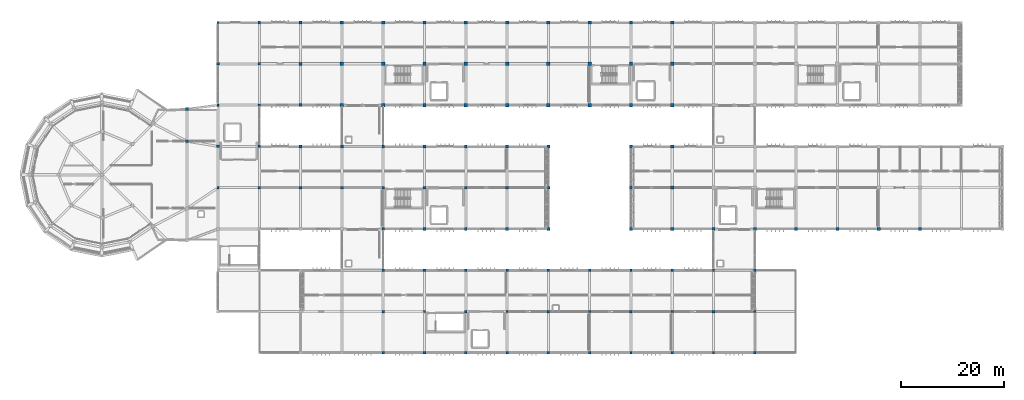
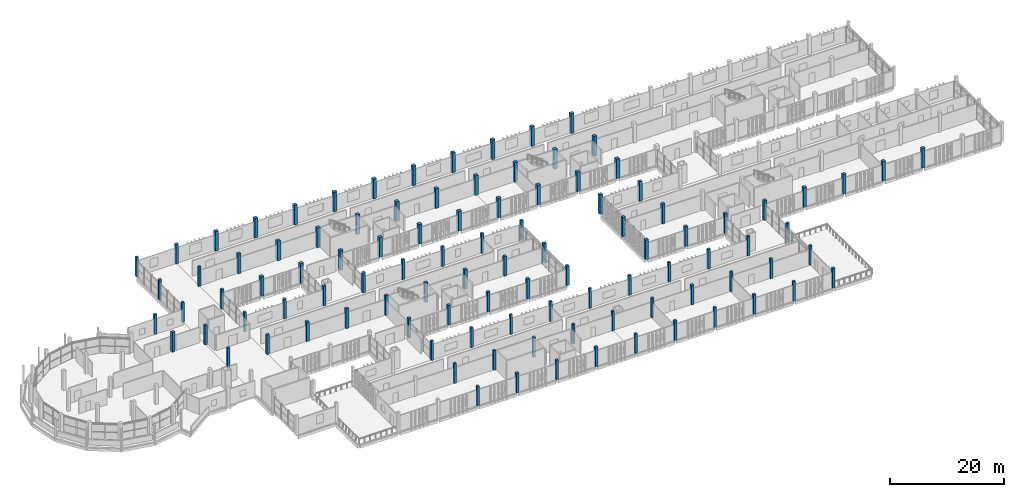
# One storey, part 4 of 63: 103 columns.
"""IFC4 building model written with IfcOpenShell, lengths in metres."""

from ifc_helpers import new_model, si_unit, direction, frame, origin, origin_2d, place, context, subcontext, project, spatial, rectangle, extrude, material, material_profile, profile_set, type_object, element, save


model = new_model("IFC4")

# Units and contexts
model_context = context("Model", 3, precision=1e-05, world=origin(), true_north=direction((0.0, 1.0)))
body_context = subcontext(model_context, "Body", "Model", "MODEL_VIEW")
ifc_project = project(units=[si_unit("LENGTHUNIT", "METRE"), si_unit("AREAUNIT", "SQUARE_METRE"), si_unit("VOLUMEUNIT", "CUBIC_METRE"), si_unit("PLANEANGLEUNIT", "RADIAN"), si_unit("MASSUNIT", "GRAM", prefix="KILO")], contexts=[model_context])

# Site, building, storey
site_placement = place(None, origin())
site = spatial("IfcSite", under=ifc_project, at=site_placement, CompositionType="ELEMENT")
building_placement = place(site_placement, origin())
building = spatial("IfcBuilding", under=site, at=building_placement, Name="Jelvoka-Kovrelna Polytechnic", CompositionType="ELEMENT")
storey_placement = place(building_placement, frame((0.0, 0.0, 18.0)))
storey = spatial("IfcBuildingStorey", under=building, at=storey_placement, Name="L05", CompositionType="ELEMENT", Elevation=18.0)

# Columns
ifc_material_1 = material(Name="Concrete C40/50", Category="concrete")
ifc_material_profile_1 = material_profile(ifc_material_1, rectangle(XDim=0.449951171875, YDim=0.449951171875, at=origin_2d()), Name="RC 450x450")
ifc_profile_set_1 = profile_set([ifc_material_profile_1], Name="Concrete C40/50")
column_type_1 = type_object("IfcColumnType", Name="Col_RC_450", PredefinedType="COLUMN", material=ifc_profile_set_1)
for number, where, z_axis, x_axis, name in (
    (1, (80.0, 8.0, 0.0), (0.0, 0.0, 1.0), (1.0, 0.0, 0.0), "L05 column 0114"),
    (2, (96.0, 8.0, 0.0), (0.0, 0.0, 1.0), (1.0, 0.0, 0.0), "L05 column 0126"),
    (3, (112.0, 8.0, 0.0), (0.0, 0.0, 1.0), (1.0, 0.0, 0.0), "L05 column 0138"),
    (4, (128.0, 8.0, 0.0), (0.0, 0.0, 1.0), (1.0, 0.0, 0.0), "L05 column 0150"),
    (5, (144.0, 8.0, 0.0), (0.0, 0.0, 1.0), (1.0, 0.0, 0.0), "L05 column 0162"),
    (6, (88.0, 16.0, 0.0), (0.0, 0.0, 1.0), (1.0, 0.0, 0.0), "L05 column 0221"),
    (7, (104.0, 16.0, 0.0), (0.0, 0.0, 1.0), (1.0, 0.0, 0.0), "L05 column 0233"),
    (8, (120.0, 16.0, 0.0), (0.0, 0.0, 1.0), (1.0, 0.0, 0.0), "L05 column 0245"),
    (9, (136.0, 16.0, 0.0), (0.0, 0.0, 1.0), (1.0, 0.0, 0.0), "L05 column 0257"),
    (10, (152.0, 16.0, 0.0), (0.0, 0.0, 1.0), (1.0, 0.0, 0.0), "L05 column 0269"),
    (11, (80.0, 24.0, 0.0), (0.0, 0.0, 1.0), (1.0, 0.0, 0.0), "L05 column 0340"),
    (12, (96.0, 24.0, 0.0), (0.0, 0.0, 1.0), (1.0, 0.0, 0.0), "L05 column 0352"),
    (13, (112.0, 24.0, 0.0), (0.0, 0.0, 1.0), (1.0, 0.0, 0.0), "L05 column 0364"),
    (14, (128.0, 24.0, 0.0), (0.0, 0.0, 1.0), (1.0, 0.0, 0.0), "L05 column 0376"),
    (15, (144.0, 24.0, 0.0), (0.0, 0.0, 1.0), (1.0, 0.0, 0.0), "L05 column 0388"),
    (16, (48.0, 40.0, 0.0), (0.0, 0.0, 1.0), (1.0, 0.0, 0.0), "L05 column 0619"),
    (17, (56.0, 48.0, 0.0), (0.0, 0.0, 1.0), (1.0, 0.0, 0.0), "L05 column 0789"),
    (18, (48.0, 56.0, 0.0), (0.0, 0.0, 1.0), (1.0, 0.0, 0.0), "L05 column 0977"),
    (19, (56.0, 64.0, 0.0), (0.0, 0.0, 1.0), (1.0, 0.0, 0.0), "L05 column 1150"),
    (20, (48.0, 72.0, 0.0), (0.0, 0.0, 1.0), (1.0, 0.0, 0.0), "L05 column 1305"),
):
    element("IfcColumn", number, at=place(storey_placement, frame(where, z_axis=z_axis, x_axis=x_axis)), inside=storey, type_object=column_type_1, Name=name, PredefinedType="COLUMN", context=body_context, shape_type="SweptSolid", body=[
        extrude(rectangle(XDim=0.449951171875, YDim=0.449951171875, at=origin_2d()), origin(), (0.0, 0.0, 1.0), 4.199951171875),
    ])
ifc_material_2 = material(Name="Concrete C40/50", Category="concrete")
ifc_material_profile_2 = material_profile(ifc_material_2, rectangle(XDim=0.5, YDim=0.5, at=origin_2d()), Name="RC 500x500")
ifc_profile_set_2 = profile_set([ifc_material_profile_2], Name="Concrete C40/50")
column_type_2 = type_object("IfcColumnType", Name="Col_RC_500", PredefinedType="COLUMN", material=ifc_profile_set_2)
for number, where, z_axis, x_axis, name in (
    (21, (88.0, 8.0, 0.0), (0.0, 0.0, 1.0), (1.0, 0.0, 0.0), "L05 column 0120"),
    (22, (104.0, 8.0, 0.0), (0.0, 0.0, 1.0), (1.0, 0.0, 0.0), "L05 column 0132"),
    (23, (120.0, 8.0, 0.0), (0.0, 0.0, 1.0), (1.0, 0.0, 0.0), "L05 column 0144"),
    (24, (136.0, 8.0, 0.0), (0.0, 0.0, 1.0), (1.0, 0.0, 0.0), "L05 column 0156"),
    (25, (152.0, 8.0, 0.0), (0.0, 0.0, 1.0), (1.0, 0.0, 0.0), "L05 column 0168"),
    (26, (80.0, 16.0, 0.0), (0.0, 0.0, 1.0), (1.0, 0.0, 0.0), "L05 column 0215"),
    (27, (96.0, 16.0, 0.0), (0.0, 0.0, 1.0), (1.0, 0.0, 0.0), "L05 column 0227"),
    (28, (112.0, 16.0, 0.0), (0.0, 0.0, 1.0), (1.0, 0.0, 0.0), "L05 column 0239"),
    (29, (128.0, 16.0, 0.0), (0.0, 0.0, 1.0), (1.0, 0.0, 0.0), "L05 column 0251"),
    (30, (144.0, 16.0, 0.0), (0.0, 0.0, 1.0), (1.0, 0.0, 0.0), "L05 column 0263"),
    (31, (88.0, 24.0, 0.0), (0.0, 0.0, 1.0), (1.0, 0.0, 0.0), "L05 column 0346"),
    (32, (104.0, 24.0, 0.0), (0.0, 0.0, 1.0), (1.0, 0.0, 0.0), "L05 column 0358"),
    (33, (120.0, 24.0, 0.0), (0.0, 0.0, 1.0), (1.0, 0.0, 0.0), "L05 column 0370"),
    (34, (136.0, 24.0, 0.0), (0.0, 0.0, 1.0), (1.0, 0.0, 0.0), "L05 column 0382"),
    (35, (152.0, 24.0, 0.0), (0.0, 0.0, 1.0), (1.0, 0.0, 0.0), "L05 column 0394"),
    (36, (56.0, 40.0, 0.0), (0.0, 0.0, 1.0), (1.0, 0.0, 0.0), "L05 column 0625"),
    (37, (48.0, 48.0, 0.0), (0.0, 0.0, 1.0), (1.0, 0.0, 0.0), "L05 column 0783"),
    (38, (56.0, 56.0, 0.0), (0.0, 0.0, 1.0), (1.0, 0.0, 0.0), "L05 column 0983"),
    (39, (48.0, 64.0, 0.0), (0.0, 0.0, 1.0), (1.0, 0.0, 0.0), "L05 column 1144"),
    (40, (56.0, 72.0, 0.0), (0.0, 0.0, 1.0), (1.0, 0.0, 0.0), "L05 column 1311"),
):
    element("IfcColumn", number, at=place(storey_placement, frame(where, z_axis=z_axis, x_axis=x_axis)), inside=storey, type_object=column_type_2, Name=name, PredefinedType="COLUMN", context=body_context, shape_type="SweptSolid", body=[
        extrude(rectangle(XDim=0.5, YDim=0.5, at=origin_2d()), origin(), (0.0, 0.0, 1.0), 4.199951171875),
    ])
ifc_material_3 = material(Name="Concrete C40/50", Category="concrete")
ifc_material_profile_3 = material_profile(ifc_material_3, rectangle(XDim=0.550048828125, YDim=0.550048828125, at=origin_2d()), Name="RC 550x550")
ifc_profile_set_3 = profile_set([ifc_material_profile_3], Name="Concrete C40/50")
column_type_3 = type_object("IfcColumnType", Name="Col_RC_550", PredefinedType="COLUMN", material=ifc_profile_set_3)
for number, where, z_axis, x_axis, name in (
    (41, (80.0, 32.0, 0.0), (0.0, 0.0, 1.0), (1.0, 0.0, 0.0), "L05 column 0463"),
    (42, (88.0, 32.0, 0.0), (0.0, 0.0, 1.0), (1.0, 0.0, 0.0), "L05 column 0470"),
    (43, (96.0, 32.0, 0.0), (0.0, 0.0, 1.0), (1.0, 0.0, 0.0), "L05 column 0477"),
    (44, (104.0, 32.0, 0.0), (0.0, 0.0, 1.0), (1.0, 0.0, 0.0), "L05 column 0484"),
    (45, (112.0, 32.0, 0.0), (0.0, 0.0, 1.0), (1.0, 0.0, 0.0), "L05 column 0491"),
    (46, (64.0, 40.0, 0.0), (0.0, 0.0, 1.0), (1.0, 0.0, 0.0), "L05 column 0631"),
    (47, (72.0, 40.0, 0.0), (0.0, 0.0, 1.0), (1.0, 0.0, 0.0), "L05 column 0638"),
    (48, (80.0, 40.0, 0.0), (0.0, 0.0, 1.0), (1.0, 0.0, 0.0), "L05 column 0645"),
    (49, (88.0, 40.0, 0.0), (0.0, 0.0, 1.0), (1.0, 0.0, 0.0), "L05 column 0652"),
    (50, (96.0, 40.0, 0.0), (0.0, 0.0, 1.0), (1.0, 0.0, 0.0), "L05 column 0659"),
    (51, (104.0, 40.0, 0.0), (0.0, 0.0, 1.0), (1.0, 0.0, 0.0), "L05 column 0666"),
    (52, (112.0, 40.0, 0.0), (0.0, 0.0, 1.0), (1.0, 0.0, 0.0), "L05 column 0673"),
    (53, (64.0, 48.0, 0.0), (0.0, 0.0, 1.0), (1.0, 0.0, 0.0), "L05 column 0795"),
    (54, (72.0, 48.0, 0.0), (0.0, 0.0, 1.0), (1.0, 0.0, 0.0), "L05 column 0802"),
    (55, (80.0, 48.0, 0.0), (0.0, 0.0, 1.0), (1.0, 0.0, 0.0), "L05 column 0809"),
    (56, (88.0, 48.0, 0.0), (0.0, 0.0, 1.0), (1.0, 0.0, 0.0), "L05 column 0816"),
    (57, (96.0, 48.0, 0.0), (0.0, 0.0, 1.0), (1.0, 0.0, 0.0), "L05 column 0823"),
    (58, (104.0, 48.0, 0.0), (0.0, 0.0, 1.0), (1.0, 0.0, 0.0), "L05 column 0830"),
    (59, (112.0, 48.0, 0.0), (0.0, 0.0, 1.0), (1.0, 0.0, 0.0), "L05 column 0837"),
    (60, (42.0, 49.0, 0.0), (0.0, 0.0, 1.0), (1.0, 0.0, 0.0), "L05 column 0935"),
    (61, (42.0, 55.227783203125, 0.0), (0.0, 0.0, 1.0), (1.0, 0.0, 0.0), "L05 column 0959"),
):
    element("IfcColumn", number, at=place(storey_placement, frame(where, z_axis=z_axis, x_axis=x_axis)), inside=storey, type_object=column_type_3, Name=name, PredefinedType="COLUMN", context=body_context, shape_type="SweptSolid", body=[
        extrude(rectangle(XDim=0.550048828125, YDim=0.550048828125, at=origin_2d()), origin(), (0.0, 0.0, 1.0), 4.199951171875),
    ])
ifc_material_4 = material(Name="Concrete C40/50", Category="concrete")
ifc_material_profile_4 = material_profile(ifc_material_4, rectangle(XDim=0.60009765625, YDim=0.60009765625, at=origin_2d()), Name="RC 600x600")
ifc_profile_set_4 = profile_set([ifc_material_profile_4], Name="Concrete C40/50")
column_type_4 = type_object("IfcColumnType", Name="Col_RC_600", PredefinedType="COLUMN", material=ifc_profile_set_4)
for number, where, z_axis, x_axis, name in (
    (62, (128.0, 32.0, 0.0), (0.0, 0.0, 1.0), (1.0, 0.0, 0.0), "L05 column 0499"),
    (63, (136.0, 32.0, 0.0), (0.0, 0.0, 1.0), (1.0, 0.0, 0.0), "L05 column 0507"),
    (64, (144.0, 32.0, 0.0), (0.0, 0.0, 1.0), (1.0, 0.0, 0.0), "L05 column 0515"),
    (65, (152.0, 32.0, 0.0), (0.0, 0.0, 1.0), (1.0, 0.0, 0.0), "L05 column 0523"),
    (66, (160.0, 32.0, 0.0), (0.0, 0.0, 1.0), (1.0, 0.0, 0.0), "L05 column 0531"),
    (67, (168.0, 32.0, 0.0), (0.0, 0.0, 1.0), (1.0, 0.0, 0.0), "L05 column 0539"),
    (68, (176.0, 32.0, 0.0), (0.0, 0.0, 1.0), (1.0, 0.0, 0.0), "L05 column 0547"),
    (69, (184.0, 32.0, 0.0), (0.0, 0.0, 1.0), (1.0, 0.0, 0.0), "L05 column 0555"),
    (70, (128.0, 40.0, 0.0), (0.0, 0.0, 1.0), (1.0, 0.0, 0.0), "L05 column 0681"),
    (71, (136.0, 40.0, 0.0), (0.0, 0.0, 1.0), (1.0, 0.0, 0.0), "L05 column 0689"),
    (72, (128.0, 48.0, 0.0), (0.0, 0.0, 1.0), (1.0, 0.0, 0.0), "L05 column 0845"),
    (73, (136.0, 48.0, 0.0), (0.0, 0.0, 1.0), (1.0, 0.0, 0.0), "L05 column 0853"),
    (74, (64.0, 56.0, 0.0), (0.0, 0.0, 1.0), (1.0, 0.0, 0.0), "L05 column 0989"),
    (75, (64.0, 64.0, 0.0), (0.0, 0.0, 1.0), (1.0, 0.0, 0.0), "L05 column 1156"),
    (76, (64.0, 72.0, 0.0), (0.0, 0.0, 1.0), (1.0, 0.0, 0.0), "L05 column 1317"),
):
    element("IfcColumn", number, at=place(storey_placement, frame(where, z_axis=z_axis, x_axis=x_axis)), inside=storey, type_object=column_type_4, Name=name, PredefinedType="COLUMN", context=body_context, shape_type="SweptSolid", body=[
        extrude(rectangle(XDim=0.60009765625, YDim=0.60009765625, at=origin_2d()), origin(), (0.0, 0.0, 1.0), 4.199951171875),
    ])
ifc_material_5 = material(Name="Concrete C40/50", Category="concrete")
ifc_material_profile_5 = material_profile(ifc_material_5, rectangle(XDim=0.64990234375, YDim=0.64990234375, at=origin_2d()), Name="RC 650x650")
ifc_profile_set_5 = profile_set([ifc_material_profile_5], Name="Concrete C40/50")
column_type_5 = type_object("IfcColumnType", Name="Col_RC_650", PredefinedType="COLUMN", material=ifc_profile_set_5)
for number, where, z_axis, x_axis, name in (
    (77, (72.0, 56.0, 0.0), (0.0, 0.0, 1.0), (1.0, 0.0, 0.0), "L05 column 0997"),
    (78, (80.0, 56.0, 0.0), (0.0, 0.0, 1.0), (1.0, 0.0, 0.0), "L05 column 1006"),
    (79, (88.0, 56.0, 0.0), (0.0, 0.0, 1.0), (1.0, 0.0, 0.0), "L05 column 1015"),
    (80, (96.0, 56.0, 0.0), (0.0, 0.0, 1.0), (1.0, 0.0, 0.0), "L05 column 1024"),
    (81, (104.0, 56.0, 0.0), (0.0, 0.0, 1.0), (1.0, 0.0, 0.0), "L05 column 1033"),
    (82, (112.0, 56.0, 0.0), (0.0, 0.0, 1.0), (1.0, 0.0, 0.0), "L05 column 1042"),
    (83, (120.0, 56.0, 0.0), (0.0, 0.0, 1.0), (1.0, 0.0, 0.0), "L05 column 1051"),
    (84, (128.0, 56.0, 0.0), (0.0, 0.0, 1.0), (1.0, 0.0, 0.0), "L05 column 1060"),
    (85, (136.0, 56.0, 0.0), (0.0, 0.0, 1.0), (1.0, 0.0, 0.0), "L05 column 1069"),
    (86, (72.0, 64.0, 0.0), (0.0, 0.0, 1.0), (1.0, 0.0, 0.0), "L05 column 1164"),
    (87, (80.0, 64.0, 0.0), (0.0, 0.0, 1.0), (1.0, 0.0, 0.0), "L05 column 1173"),
    (88, (88.0, 64.0, 0.0), (0.0, 0.0, 1.0), (1.0, 0.0, 0.0), "L05 column 1182"),
    (89, (96.0, 64.0, 0.0), (0.0, 0.0, 1.0), (1.0, 0.0, 0.0), "L05 column 1191"),
    (90, (104.0, 64.0, 0.0), (0.0, 0.0, 1.0), (1.0, 0.0, 0.0), "L05 column 1200"),
    (91, (112.0, 64.0, 0.0), (0.0, 0.0, 1.0), (1.0, 0.0, 0.0), "L05 column 1209"),
    (92, (120.0, 64.0, 0.0), (0.0, 0.0, 1.0), (1.0, 0.0, 0.0), "L05 column 1218"),
    (93, (128.0, 64.0, 0.0), (0.0, 0.0, 1.0), (1.0, 0.0, 0.0), "L05 column 1227"),
    (94, (136.0, 64.0, 0.0), (0.0, 0.0, 1.0), (1.0, 0.0, 0.0), "L05 column 1236"),
    (95, (72.0, 72.0, 0.0), (0.0, 0.0, 1.0), (1.0, 0.0, 0.0), "L05 column 1325"),
    (96, (80.0, 72.0, 0.0), (0.0, 0.0, 1.0), (1.0, 0.0, 0.0), "L05 column 1334"),
    (97, (88.0, 72.0, 0.0), (0.0, 0.0, 1.0), (1.0, 0.0, 0.0), "L05 column 1343"),
    (98, (96.0, 72.0, 0.0), (0.0, 0.0, 1.0), (1.0, 0.0, 0.0), "L05 column 1352"),
    (99, (104.0, 72.0, 0.0), (0.0, 0.0, 1.0), (1.0, 0.0, 0.0), "L05 column 1361"),
    (100, (112.0, 72.0, 0.0), (0.0, 0.0, 1.0), (1.0, 0.0, 0.0), "L05 column 1370"),
    (101, (120.0, 72.0, 0.0), (0.0, 0.0, 1.0), (1.0, 0.0, 0.0), "L05 column 1379"),
    (102, (128.0, 72.0, 0.0), (0.0, 0.0, 1.0), (1.0, 0.0, 0.0), "L05 column 1388"),
    (103, (136.0, 72.0, 0.0), (0.0, 0.0, 1.0), (1.0, 0.0, 0.0), "L05 column 1397"),
):
    element("IfcColumn", number, at=place(storey_placement, frame(where, z_axis=z_axis, x_axis=x_axis)), inside=storey, type_object=column_type_5, Name=name, PredefinedType="COLUMN", context=body_context, shape_type="SweptSolid", body=[
        extrude(rectangle(XDim=0.64990234375, YDim=0.64990234375, at=origin_2d()), origin(), (0.0, 0.0, 1.0), 4.199951171875),
    ])

save(model, "model.ifc")
